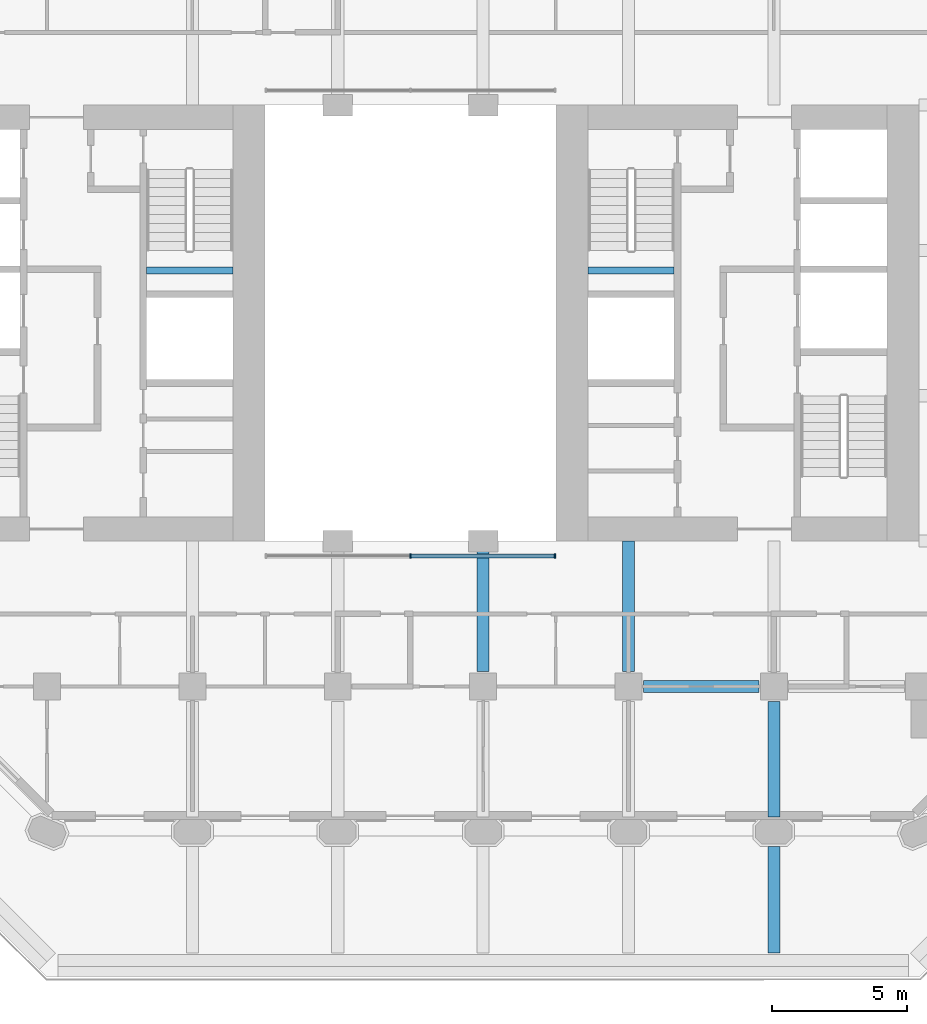
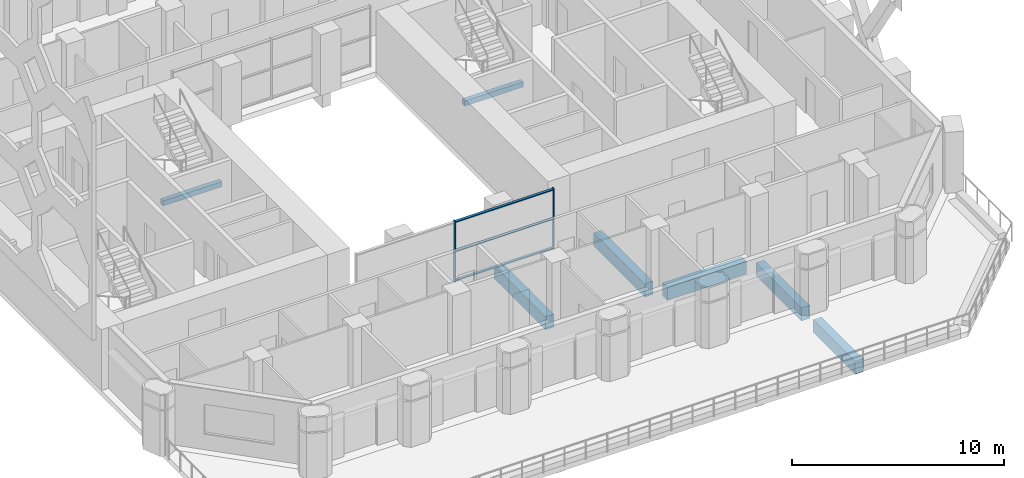
# One storey, part 4 of 16: 7 beams, 5 members, 1 element without a shape of its own.
"""IFC4 building model written with IfcOpenShell, lengths in metres."""

from ifc_helpers import new_model, si_unit, direction, frame, origin, origin_2d, place, context, subcontext, project, spatial, rectangle, extrude, material, material_profile, profile_set, type_object, element, aggregate, save


model = new_model("IFC4")

# Units and contexts
model_context = context("Model", 3, precision=1e-05, world=origin(), true_north=direction((0.0, 1.0)))
body_context = subcontext(model_context, "Body", "Model", "MODEL_VIEW")
ifc_project = project(units=[si_unit("LENGTHUNIT", "METRE"), si_unit("AREAUNIT", "SQUARE_METRE"), si_unit("VOLUMEUNIT", "CUBIC_METRE"), si_unit("PLANEANGLEUNIT", "RADIAN"), si_unit("MASSUNIT", "GRAM", prefix="KILO")], contexts=[model_context])

# Site, building, storey
site_placement = place(None, origin())
site = spatial("IfcSite", under=ifc_project, at=site_placement, CompositionType="ELEMENT")
building_placement = place(site_placement, origin())
building = spatial("IfcBuilding", under=site, at=building_placement, Name="Tabaq Tower and Sports Hall", CompositionType="ELEMENT")
storey_placement = place(building_placement, frame((0.0, 0.0, 65.0)))
storey = spatial("IfcBuildingStorey", under=building, at=storey_placement, Name="L14", CompositionType="ELEMENT", Elevation=65.0)

# Curtain wall, members
ifc_material_1 = material(Name="Aluminium alloy 6063-T6 framed glazing", Category="aluminium")
curtain_wall_type = type_object("IfcCurtainWallType", Name="CW1 curtain wall", PredefinedType="USERDEFINED", material=ifc_material_1)
curtain_wall_placement = place(storey_placement, origin())
curtain_wall = element("IfcCurtainWall", 1, at=curtain_wall_placement, inside=storey, type_object=curtain_wall_type, Name="Atrium glazing L14 S", ObjectType="ATRIUM ENCLOSURE", PredefinedType="USERDEFINED")
ifc_material_2 = material(Name="Aluminium alloy 6063-T6", Category="aluminium")
ifc_material_profile_1 = material_profile(ifc_material_2, rectangle(XDim=0.159912109375, YDim=0.06005859375, at=origin_2d()), Name="MULLION 160x60")
ifc_profile_set_1 = profile_set([ifc_material_profile_1], Name="Aluminium alloy 6063-T6")
member_type_1 = type_object("IfcMemberType", Name="CW1 mullion 160x60", PredefinedType="MULLION", material=ifc_profile_set_1)
member_1_placement = place(storey_placement, frame((24.300048828125, 15.64990234375, 0.0), z_axis=(0.0, 0.0, 1.0), x_axis=(0.0, 1.0, 0.0)))
member_1 = element("IfcMember", 2, at=member_1_placement, type_object=member_type_1, Name="CW1 mullion 2", PredefinedType="MULLION", context=body_context, shape_type="SweptSolid", body=[
    extrude(rectangle(XDim=0.159912109375, YDim=0.06005859375, at=origin_2d()), origin(), (0.0, 0.0, 1.0), 3.5),
])
member_2_placement = place(storey_placement, frame((29.669921875, 15.64990234375, 0.0), z_axis=(0.0, 0.0, 1.0), x_axis=(0.0, 1.0, 0.0)))
member_2 = element("IfcMember", 3, at=member_2_placement, type_object=member_type_1, Name="CW1 mullion 3", PredefinedType="MULLION", context=body_context, shape_type="SweptSolid", body=[
    extrude(rectangle(XDim=0.159912109375, YDim=0.06005859375, at=origin_2d()), origin(), (0.0, 0.0, 1.0), 3.5),
])
ifc_material_3 = material(Name="Aluminium alloy 6063-T6", Category="aluminium")
ifc_material_profile_2 = material_profile(ifc_material_3, rectangle(XDim=0.139892578125, YDim=0.06005859375, at=origin_2d()), Name="TRANSOM 140x60")
ifc_profile_set_2 = profile_set([ifc_material_profile_2], Name="Aluminium alloy 6063-T6")
member_type_2 = type_object("IfcMemberType", Name="CW1 transom 140x60", PredefinedType="USERDEFINED", material=ifc_profile_set_2)
member_3_placement = place(storey_placement, frame((24.330078125, 15.64990234375, 0.070068359375), z_axis=(1.0, 0.0, 0.0), x_axis=(0.0, 1.0, 0.0)))
member_3 = element("IfcMember", 4, at=member_3_placement, type_object=member_type_2, Name="CW1 transom 2.1", ObjectType="TRANSOM", PredefinedType="USERDEFINED", context=body_context, shape_type="SweptSolid", body=[
    extrude(rectangle(XDim=0.139892578125, YDim=0.06005859375, at=origin_2d()), origin(), (0.0, 0.0, 1.0), 5.309814453125),
])
member_4_placement = place(storey_placement, frame((24.330078125, 15.64990234375, 1.75), z_axis=(1.0, 0.0, 0.0), x_axis=(0.0, 1.0, 0.0)))
member_4 = element("IfcMember", 5, at=member_4_placement, type_object=member_type_2, Name="CW1 transom 2.2", ObjectType="TRANSOM", PredefinedType="USERDEFINED", context=body_context, shape_type="SweptSolid", body=[
    extrude(rectangle(XDim=0.139892578125, YDim=0.06005859375, at=origin_2d()), origin(), (0.0, 0.0, 1.0), 5.309814453125),
])
member_5_placement = place(storey_placement, frame((24.330078125, 15.64990234375, 3.429931640625), z_axis=(1.0, 0.0, 0.0), x_axis=(0.0, 1.0, 0.0)))
member_5 = element("IfcMember", 6, at=member_5_placement, type_object=member_type_2, Name="CW1 transom 2.3", ObjectType="TRANSOM", PredefinedType="USERDEFINED", context=body_context, shape_type="SweptSolid", body=[
    extrude(rectangle(XDim=0.139892578125, YDim=0.06005859375, at=origin_2d()), origin(), (0.0, 0.0, 1.0), 5.309814453125),
])
aggregate(curtain_wall, [member_1, member_2, member_3, member_4, member_5])

# Beams
ifc_material_4 = material(Name="Concrete C40/50", Category="concrete")
ifc_material_profile_3 = material_profile(ifc_material_4, rectangle(XDim=0.449951171875, YDim=0.75, at=origin_2d()), Name="CB 450x750")
ifc_profile_set_3 = profile_set([ifc_material_profile_3], Name="Concrete C40/50")
beam_type_1 = type_object("IfcBeamType", Name="PT CANTILEVER BEAM CB 450x750 C40/50", PredefinedType="BEAM", material=ifc_profile_set_3)
beam_1_placement = place(storey_placement, frame((37.25, 10.800048828125, -0.675048828125), z_axis=(-1.0, 0.0, 0.0), x_axis=(0.0, -1.0, 0.0)))
element("IfcBeam", 7, at=beam_1_placement, inside=storey, type_object=beam_type_1, Name="Cantilever Beam L14 E2 span 3", PredefinedType="BEAM", context=body_context, shape_type="SweptSolid", body=[
    extrude(rectangle(XDim=0.449951171875, YDim=0.75, at=origin_2d()), origin(), (0.0, 0.0, 1.0), 4.300048828125),
])
for number, where, z_axis, x_axis, name in (
    (8, (27.0, 11.35009765625, -0.675048828125), (0.0, 1.0, 0.0), (-1.0, 0.0, 0.0), "Cantilever Beam L14 S5 span 3"),
    (9, (32.39990234375, 11.35009765625, -0.675048828125), (0.0, 1.0, 0.0), (-1.0, 0.0, 0.0), "Cantilever Beam L14 S6 span 3"),
):
    element("IfcBeam", number, at=place(storey_placement, frame(where, z_axis=z_axis, x_axis=x_axis)), inside=storey, type_object=beam_type_1, Name=name, PredefinedType="BEAM", context=body_context, shape_type="SweptSolid", body=[
        extrude(rectangle(XDim=0.449951171875, YDim=0.75, at=origin_2d()), origin(), (0.0, 0.0, 1.0), 4.849853515625),
    ])
beam_2_placement = place(storey_placement, frame((37.800048828125, 0.89990234375, -0.675048828125), z_axis=(0.0, 1.0, 0.0), x_axis=(-1.0, 0.0, 0.0)))
element("IfcBeam", 10, at=beam_2_placement, inside=storey, type_object=beam_type_1, Name="Cantilever Beam L14 S7 span 1", PredefinedType="BEAM", context=body_context, shape_type="SweptSolid", body=[
    extrude(rectangle(XDim=0.449951171875, YDim=0.75, at=origin_2d()), origin(), (0.0, 0.0, 1.0), 3.9501953125),
])
beam_3_placement = place(storey_placement, frame((37.800048828125, 5.949951171875, -0.675048828125), z_axis=(0.0, 1.0, 0.0), x_axis=(-1.0, 0.0, 0.0)))
element("IfcBeam", 11, at=beam_3_placement, inside=storey, type_object=beam_type_1, Name="Cantilever Beam L14 S7 span 2", PredefinedType="BEAM", context=body_context, shape_type="SweptSolid", body=[
    extrude(rectangle(XDim=0.449951171875, YDim=0.75, at=origin_2d()), origin(), (0.0, 0.0, 1.0), 4.300048828125),
])
ifc_material_5 = material(Name="Concrete C40/50", Category="concrete")
ifc_material_profile_4 = material_profile(ifc_material_5, rectangle(XDim=0.25, YDim=0.300048828125, at=origin_2d()), Name="RC 250x300")
ifc_profile_set_4 = profile_set([ifc_material_profile_4], Name="Concrete C40/50")
beam_type_2 = type_object("IfcBeamType", Name="Stair landing beam 250x300", PredefinedType="BEAM", material=ifc_profile_set_4)
beam_4_placement = place(storey_placement, frame((14.5, 26.25, 1.550048828125), z_axis=(1.0, 0.0, 0.0), x_axis=(0.0, 1.0, 0.0)))
element("IfcBeam", 12, at=beam_4_placement, inside=storey, type_object=beam_type_2, Name="L14 ST2 landing beam 1", PredefinedType="BEAM", context=body_context, shape_type="SweptSolid", body=[
    extrude(rectangle(XDim=0.25, YDim=0.300048828125, at=origin_2d()), origin(), (0.0, 0.0, 1.0), 3.199951171875),
])
beam_5_placement = place(storey_placement, frame((30.89990234375, 26.25, 1.550048828125), z_axis=(1.0, 0.0, 0.0), x_axis=(0.0, 1.0, 0.0)))
element("IfcBeam", 13, at=beam_5_placement, inside=storey, type_object=beam_type_2, Name="L14 ST4 landing beam 1", PredefinedType="BEAM", context=body_context, shape_type="SweptSolid", body=[
    extrude(rectangle(XDim=0.25, YDim=0.300048828125, at=origin_2d()), origin(), (0.0, 0.0, 1.0), 3.2001953125),
])

save(model, "model.ifc")
